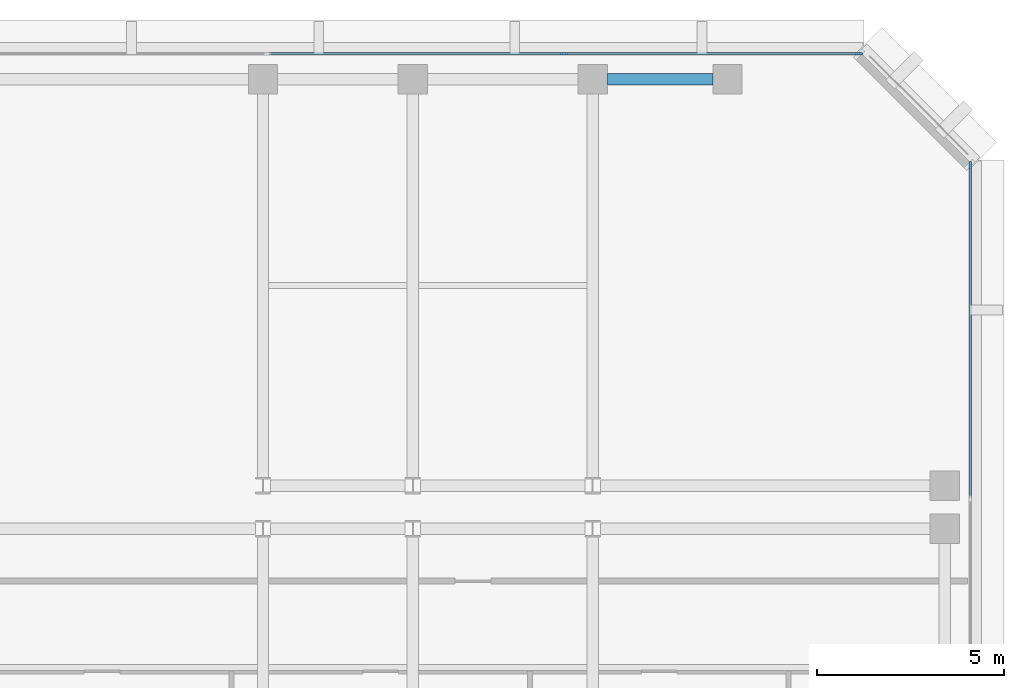
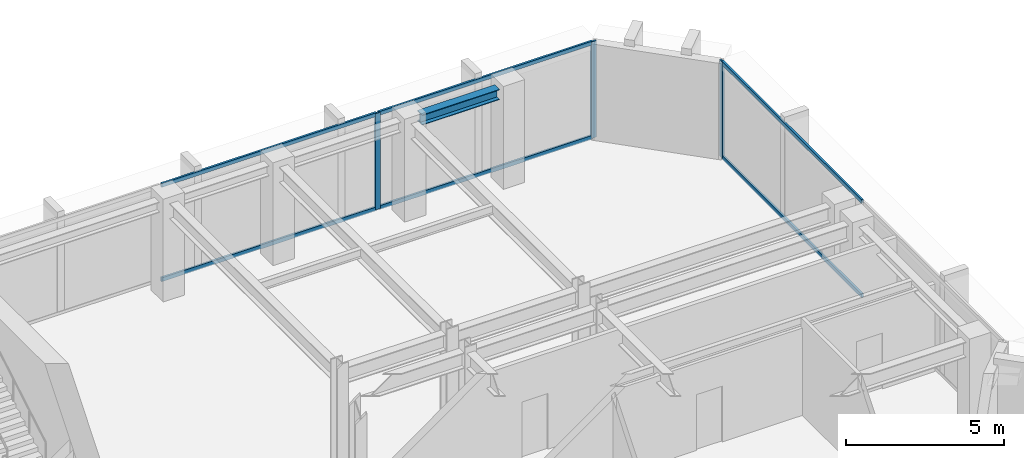
# One storey, part 5 of 12: 9 members, 1 beam, 2 elements without a shape of their own.
"""IFC4 building model written with IfcOpenShell, lengths in metres."""

import ifcopenshell
import ifcopenshell.guid

model = None  # the IFC model being written
_history = None  # IfcOwnerHistory: only IFC2X3 demands one
_inside = {}  # id of a spatial element -> (the spatial element, [elements in it])
_under = {}  # id of a project, library or spatial element -> (it, [spatial elements below it])
_declared = {}  # id of a project -> (the project, [libraries it declares])
_typed = {}  # id of a type object -> (the type object, [elements of that type])
_made_of = {}  # id of a material, layer set ... -> (it, [elements and type objects made of it])


def new_model(schema):
    """Start an empty IFC model of exactly this schema.

    Asked for "IFC4X3", IfcOpenShell would pick the latest addendum, in which some entities
    have other attributes; the version numbers below select the first issue.
    IFC2X3 requires an IfcOwnerHistory on every rooted entity: one is made here for all.
    """
    global model, _history
    if schema == "IFC4X3":
        model = ifcopenshell.file(schema_version=(4, 3, 0, 0))
    else:
        model = ifcopenshell.file(schema=schema)
    _inside.clear()
    _under.clear()
    _declared.clear()
    _typed.clear()
    _made_of.clear()
    _history = None
    if model.schema == "IFC2X3":
        org = make("IfcOrganization", Name="unknown")
        user = make(
            "IfcPersonAndOrganization",
            ThePerson=make("IfcPerson", FamilyName="unknown"),
            TheOrganization=org,
        )
        app = make(
            "IfcApplication",
            ApplicationDeveloper=org,
            Version="unknown",
            ApplicationFullName="unknown",
            ApplicationIdentifier="unknown",
        )
        _history = make(
            "IfcOwnerHistory",
            OwningUser=user,
            OwningApplication=app,
            ChangeAction="ADDED",
            CreationDate=0,
        )
    return model


def make(cls, **values):
    """One entity of the class cls with the attributes given. An attribute that is None is left unset."""
    return model.create_entity(
        cls, **{name: value for name, value in values.items() if value is not None}
    )


def rooted(cls, **values):
    """An entity with a GlobalId (a new one), such as an element, a storey or a relation."""
    return make(cls, GlobalId=ifcopenshell.guid.new(), OwnerHistory=_history, **values)


def si_unit(unit_type, name, prefix=None):
    """IfcSIUnit, for example si_unit("LENGTHUNIT", "METRE", prefix="MILLI")."""
    return make("IfcSIUnit", UnitType=unit_type, Prefix=prefix, Name=name)


def assignment(units):
    """IfcUnitAssignment: the units of a project."""
    return None if units is None else make("IfcUnitAssignment", Units=units)


def point(xyz):
    """IfcCartesianPoint."""
    return None if xyz is None else make("IfcCartesianPoint", Coordinates=xyz)


def direction(xyz):
    """IfcDirection."""
    return None if xyz is None else make("IfcDirection", DirectionRatios=xyz)


def frame(location, z_axis=None, x_axis=None):
    """IfcAxis2Placement3D, a coordinate frame: its origin and axes. An axis left out is left unset."""
    return make(
        "IfcAxis2Placement3D",
        Location=point(location),
        Axis=direction(z_axis),
        RefDirection=direction(x_axis),
    )


def frame_2d(location, x_axis=None):
    """IfcAxis2Placement2D, a coordinate frame in the plane: its origin and x axis."""
    return make(
        "IfcAxis2Placement2D", Location=point(location), RefDirection=direction(x_axis)
    )


def origin():
    """The frame at (0, 0, 0) with its axes left unset."""
    return frame((0.0, 0.0, 0.0))


def origin_2d():
    """The frame at (0, 0) in the plane with its x axis left unset."""
    return frame_2d((0.0, 0.0))


def place(relative_to, where):
    """IfcLocalPlacement: puts the frame where relative to a parent placement (None: the world)."""
    return make(
        "IfcLocalPlacement", PlacementRelTo=relative_to, RelativePlacement=where
    )


def context(
    kind, dimensions, precision=None, world=None, true_north=None, identifier=None
):
    """IfcGeometricRepresentationContext, for example the 3D "Model" context."""
    return make(
        "IfcGeometricRepresentationContext",
        ContextIdentifier=identifier,
        ContextType=kind,
        CoordinateSpaceDimension=dimensions,
        Precision=precision,
        WorldCoordinateSystem=world,
        TrueNorth=true_north,
    )


def subcontext(parent, identifier, kind, view, scale=None):
    """IfcGeometricRepresentationSubContext, for example "Body" below "Model"."""
    return make(
        "IfcGeometricRepresentationSubContext",
        ContextIdentifier=identifier,
        ContextType=kind,
        ParentContext=parent,
        TargetScale=scale,
        TargetView=view,
    )


def project(units=None, contexts=None):
    """IfcProject with its units and contexts."""
    return rooted(
        "IfcProject",
        Name="project",
        RepresentationContexts=contexts,
        UnitsInContext=assignment(units),
    )


def spatial(cls, under=None, at=None, **own):
    """A site, building, storey or space (cls), placed at a placement, below another one or the project."""
    s = rooted(cls, ObjectPlacement=at, **own)
    if under is not None:
        _under.setdefault(under.id(), (under, []))[1].append(s)
    return s


def profile(cls, at=None, kind="AREA", **sizes):
    """A parametric profile (cls). Its sizes go by their IFC names, for example OverallWidth=200.0."""
    return make(cls, ProfileType=kind, Position=at, **sizes)


def rectangle(**sizes):
    """IfcRectangleProfileDef."""
    return profile("IfcRectangleProfileDef", **sizes)


def i_section(**sizes):
    """IfcIShapeProfileDef."""
    return profile("IfcIShapeProfileDef", **sizes)


def extrude(swept, where, along, depth):
    """IfcExtrudedAreaSolid: the profile swept, set in the frame where, extruded along a direction by depth."""
    return make(
        "IfcExtrudedAreaSolid",
        SweptArea=swept,
        Position=where,
        ExtrudedDirection=direction(along),
        Depth=depth,
    )


def shape(context_of_items, identifier, shape_type, items):
    """IfcShapeRepresentation: the items that make up one representation, for example the "Body"."""
    return make(
        "IfcShapeRepresentation",
        ContextOfItems=context_of_items,
        RepresentationIdentifier=identifier,
        RepresentationType=shape_type,
        Items=items,
    )


def material(Name=None, Category=None):
    """IfcMaterial."""
    return make("IfcMaterial", Name=Name, Category=Category)


def layer(
    of_material, thickness, ventilated=None, Name=None, Category=None, Priority=None
):
    """IfcMaterialLayer: one layer of a wall or slab, of a material (None: an air gap)."""
    return make(
        "IfcMaterialLayer",
        Material=of_material,
        LayerThickness=thickness,
        IsVentilated=ventilated,
        Name=Name,
        Category=Category,
        Priority=Priority,
    )


def layer_set(layers, Name=None):
    """IfcMaterialLayerSet."""
    return make("IfcMaterialLayerSet", MaterialLayers=layers, LayerSetName=Name)


def material_profile(
    of_material, cross_section, Name=None, Category=None, Priority=None
):
    """IfcMaterialProfile: a cross section and its material."""
    return make(
        "IfcMaterialProfile",
        Name=Name,
        Material=of_material,
        Profile=cross_section,
        Priority=Priority,
        Category=Category,
    )


def profile_set(profiles, Name=None, composite=None):
    """IfcMaterialProfileSet."""
    return make(
        "IfcMaterialProfileSet",
        Name=Name,
        MaterialProfiles=profiles,
        CompositeProfile=composite,
    )


def made_of(thing, what):
    """Note that an element or type object is made of a material, layer set ...; save() writes the relation."""
    if what is not None:
        _made_of.setdefault(what.id(), (what, []))[1].append(thing)
    return thing


def type_object(cls, material=None, **own):
    """A type object (cls), such as IfcWallType, which elements share."""
    return made_of(rooted(cls, **own), material)


def element(
    cls,
    number,
    at=None,
    inside=None,
    cuts=None,
    type_object=None,
    material=None,
    context=None,
    identifier="Body",
    shape_type=None,
    held_by="IfcProductDefinitionShape",
    body=None,
    shapes=None,
    **own,
):
    """One element of the class cls, such as IfcWall. Its Tag is "e" and its number.

    at: its placement. inside: the storey or other place that contains it. cuts: it is an
    opening in that element (IfcRelVoidsElement). A single representation is given by context,
    identifier, shape_type and body (its items); several are given by shapes. held_by: the class
    of the entity that holds the representations. save() writes the other relations.
    """
    e = rooted(cls, Tag="e%d" % number, ObjectPlacement=at, **own)
    if body is not None:
        shapes = [shape(context, identifier, shape_type, body)]
    if shapes is not None:
        e.Representation = make(held_by, Representations=shapes)
    if inside is not None:
        _inside.setdefault(inside.id(), (inside, []))[1].append(e)
    if cuts is not None:
        rooted(
            "IfcRelVoidsElement", RelatingBuildingElement=cuts, RelatedOpeningElement=e
        )
    if type_object is not None:
        _typed.setdefault(type_object.id(), (type_object, []))[1].append(e)
    return made_of(e, material)


def aggregate(whole, parts):
    """IfcRelAggregates: a whole, such as a stair, and the parts it consists of."""
    return rooted("IfcRelAggregates", RelatingObject=whole, RelatedObjects=parts)


def save(model, path):
    """Write the relations noted so far, then the file.

    IfcRelAggregates (storeys below a building ...), IfcRelContainedInSpatialStructure (elements
    in a storey), IfcRelDefinesByType, IfcRelAssociatesMaterial and IfcRelDeclares: one each for
    every whole, place, type object, material and project.
    """
    for whole, parts in _under.values():
        aggregate(whole, parts)
    for where, things in _inside.values():
        rooted(
            "IfcRelContainedInSpatialStructure",
            RelatedElements=things,
            RelatingStructure=where,
        )
    for kind, things in _typed.values():
        rooted("IfcRelDefinesByType", RelatedObjects=things, RelatingType=kind)
    for what, things in _made_of.values():
        rooted("IfcRelAssociatesMaterial", RelatedObjects=things, RelatingMaterial=what)
    for by, libraries in _declared.values():
        rooted("IfcRelDeclares", RelatingContext=by, RelatedDefinitions=libraries)
    model.write(path)


model = new_model("IFC4")

# Units and contexts
model_context = context("Model", 3, precision=1e-05, world=origin(), true_north=direction((0.0, 1.0)))
body_context = subcontext(model_context, "Body", "Model", "MODEL_VIEW")
ifc_project = project(units=[si_unit("LENGTHUNIT", "METRE"), si_unit("AREAUNIT", "SQUARE_METRE"), si_unit("VOLUMEUNIT", "CUBIC_METRE"), si_unit("PLANEANGLEUNIT", "RADIAN"), si_unit("MASSUNIT", "GRAM", prefix="KILO")], contexts=[model_context])

# Site, building, storey
site_placement = place(None, origin())
site = spatial("IfcSite", under=ifc_project, at=site_placement, CompositionType="ELEMENT")
building_placement = place(site_placement, origin())
building = spatial("IfcBuilding", under=site, at=building_placement, Name="Kefirva Bronze Tower", CompositionType="ELEMENT")
storey_placement = place(building_placement, frame((0.0, 0.0, 195.360107421875)))
storey = spatial("IfcBuildingStorey", under=building, at=storey_placement, Name="L47", CompositionType="ELEMENT", Elevation=195.360107421875)

# Curtain wall, member
ifc_material_1 = material(Name="Bronze anodised aluminium", Category="aluminium")
ifc_layer = layer(ifc_material_1, 0.179931640625, Name="Bronze anodised aluminium")
ifc_layer_set = layer_set([ifc_layer], Name="Bronze anodised aluminium")
curtain_wall_type = type_object("IfcCurtainWallType", Name="Unitised Bronze Ribbon Curtain Wall Zone 3", PredefinedType="USERDEFINED", material=ifc_layer_set)
curtain_wall_1_placement = place(storey_placement, origin())
curtain_wall_1 = element("IfcCurtainWall", 1, at=curtain_wall_1_placement, inside=storey, type_object=curtain_wall_type, Name="L47 Curtain Wall 3", ObjectType="UNITISED CURTAIN WALL", PredefinedType="USERDEFINED")
ifc_material_profile_1 = material_profile(ifc_material_1, rectangle(XDim=0.074951171875, YDim=0.179931640625, at=origin_2d()), Name="ALU 75x180")
ifc_profile_set_1 = profile_set([ifc_material_profile_1], Name="Bronze anodised aluminium")
member_type_1 = type_object("IfcMemberType", Name="Bronze Mullion 75x180", PredefinedType="MULLION", material=ifc_profile_set_1)
member_1_placement = place(storey_placement, frame((50.080078125, 42.907470703125, 0.0), z_axis=(0.0, 0.0, 1.0), x_axis=(-1.0, 0.0, 0.0)))
member_1 = element("IfcMember", 2, at=member_1_placement, type_object=member_type_1, Name="CW-03 mullion 3", PredefinedType="MULLION", context=body_context, shape_type="SweptSolid", body=[
    extrude(rectangle(XDim=0.074951171875, YDim=0.179931640625, at=origin_2d()), origin(), (0.0, 0.0, 1.0), 3.7099609375),
])

# Curtain wall, members
curtain_wall_2_placement = place(storey_placement, origin())
curtain_wall_2 = element("IfcCurtainWall", 3, at=curtain_wall_2_placement, inside=storey, type_object=curtain_wall_type, Name="L47 Curtain Wall 4", ObjectType="UNITISED CURTAIN WALL", PredefinedType="USERDEFINED")
member_2_placement = place(storey_placement, frame((47.107421875, 45.8798828125, 0.0), z_axis=(0.0, 0.0, 1.0), x_axis=(0.0, -1.0, 0.0)))
member_2 = element("IfcMember", 4, at=member_2_placement, type_object=member_type_1, Name="CW-03 mullion 1", PredefinedType="MULLION", context=body_context, shape_type="SweptSolid", body=[
    extrude(rectangle(XDim=0.074951171875, YDim=0.179931640625, at=origin_2d()), origin(), (0.0, 0.0, 1.0), 3.7099609375),
])
member_3_placement = place(storey_placement, frame((39.231689453125, 45.8798828125, 0.0), z_axis=(0.0, 0.0, 1.0), x_axis=(0.0, -1.0, 0.0)))
member_3 = element("IfcMember", 5, at=member_3_placement, type_object=member_type_1, Name="CW-03 mullion 2", PredefinedType="MULLION", context=body_context, shape_type="SweptSolid", body=[
    extrude(rectangle(XDim=0.074951171875, YDim=0.179931640625, at=origin_2d()), origin(), (0.0, 0.0, 1.0), 3.7099609375),
])

# Member
ifc_material_profile_2 = material_profile(ifc_material_1, rectangle(XDim=0.074951171875, YDim=0.14990234375, at=origin_2d()), Name="ALU 75x150")
ifc_profile_set_2 = profile_set([ifc_material_profile_2], Name="Bronze anodised aluminium")
member_type_2 = type_object("IfcMemberType", Name="Bronze Transom 75x150", PredefinedType="USERDEFINED", material=ifc_profile_set_2)
member_4_placement = place(storey_placement, frame((50.080078125, 34.03759765625, 0.037353515625), z_axis=(0.0, 1.0, 0.0), x_axis=(-1.0, 0.0, 0.0)))
member_4 = element("IfcMember", 6, at=member_4_placement, type_object=member_type_2, Name="CW-03 transom 2.1", ObjectType="TRANSOM", PredefinedType="USERDEFINED", context=body_context, shape_type="SweptSolid", body=[
    extrude(rectangle(XDim=0.074951171875, YDim=0.14990234375, at=origin_2d()), origin(), (0.0, 0.0, 1.0), 8.83251953125),
])

member_5_placement = place(storey_placement, frame((50.080078125, 34.03759765625, 3.67236328125), z_axis=(0.0, 1.0, 0.0), x_axis=(-1.0, 0.0, 0.0)))
member_5 = element("IfcMember", 7, at=member_5_placement, type_object=member_type_2, Name="CW-03 transom 2.2", ObjectType="TRANSOM", PredefinedType="USERDEFINED", context=body_context, shape_type="SweptSolid", body=[
    extrude(rectangle(XDim=0.074951171875, YDim=0.14990234375, at=origin_2d()), origin(), (0.0, 0.0, 1.0), 8.83251953125),
])

aggregate(curtain_wall_1, [member_1, member_4, member_5])

member_6_placement = place(storey_placement, frame((47.070068359375, 45.8798828125, 0.037353515625), z_axis=(-1.0, 0.0, 0.0), x_axis=(0.0, -1.0, 0.0)))
member_6 = element("IfcMember", 8, at=member_6_placement, type_object=member_type_2, Name="CW-03 transom 1.1", ObjectType="TRANSOM", PredefinedType="USERDEFINED", context=body_context, shape_type="SweptSolid", body=[
    extrude(rectangle(XDim=0.074951171875, YDim=0.14990234375, at=origin_2d()), origin(), (0.0, 0.0, 1.0), 7.80078125),
])

member_7_placement = place(storey_placement, frame((47.070068359375, 45.8798828125, 3.67236328125), z_axis=(-1.0, 0.0, 0.0), x_axis=(0.0, -1.0, 0.0)))
member_7 = element("IfcMember", 9, at=member_7_placement, type_object=member_type_2, Name="CW-03 transom 1.2", ObjectType="TRANSOM", PredefinedType="USERDEFINED", context=body_context, shape_type="SweptSolid", body=[
    extrude(rectangle(XDim=0.074951171875, YDim=0.14990234375, at=origin_2d()), origin(), (0.0, 0.0, 1.0), 7.80078125),
])

member_8_placement = place(storey_placement, frame((39.194091796875, 45.8798828125, 0.037353515625), z_axis=(-1.0, 0.0, 0.0), x_axis=(0.0, -1.0, 0.0)))
member_8 = element("IfcMember", 10, at=member_8_placement, type_object=member_type_2, Name="CW-03 transom 2.1", ObjectType="TRANSOM", PredefinedType="USERDEFINED", context=body_context, shape_type="SweptSolid", body=[
    extrude(rectangle(XDim=0.074951171875, YDim=0.14990234375, at=origin_2d()), origin(), (0.0, 0.0, 1.0), 7.83837890625),
])

member_9_placement = place(storey_placement, frame((39.194091796875, 45.8798828125, 3.67236328125), z_axis=(-1.0, 0.0, 0.0), x_axis=(0.0, -1.0, 0.0)))
member_9 = element("IfcMember", 11, at=member_9_placement, type_object=member_type_2, Name="CW-03 transom 2.2", ObjectType="TRANSOM", PredefinedType="USERDEFINED", context=body_context, shape_type="SweptSolid", body=[
    extrude(rectangle(XDim=0.074951171875, YDim=0.14990234375, at=origin_2d()), origin(), (0.0, 0.0, 1.0), 7.83837890625),
])

aggregate(curtain_wall_2, [member_2, member_3, member_6, member_7, member_8, member_9])

# Beam
ifc_material_2 = material(Name="Steel S355", Category="steel")
ifc_material_profile_3 = material_profile(ifc_material_2, i_section(OverallWidth=0.300048828125, OverallDepth=0.39990234375, WebThickness=0.013427734375, FlangeThickness=0.02392578125, at=origin_2d()), Name="HEB 400")
ifc_profile_set_3 = profile_set([ifc_material_profile_3], Name="Steel S355")
beam_type = type_object("IfcBeamType", Name="Steel Spandrel HEB 400 Ext", PredefinedType="SPANDREL", material=ifc_profile_set_3)
beam_placement = place(storey_placement, frame((40.389892578125, 45.199951171875, 3.510009765625), z_axis=(1.0, 0.0, 0.0), x_axis=(0.0, 1.0, 0.0)))
element("IfcBeam", 12, at=beam_placement, inside=storey, type_object=beam_type, Name="L47 BM-L47-EW-40-452", PredefinedType="SPANDREL", context=body_context, shape_type="SweptSolid", body=[
    extrude(i_section(OverallWidth=0.300048828125, OverallDepth=0.39990234375, WebThickness=0.013427734375, FlangeThickness=0.02392578125, at=origin_2d()), origin(), (0.0, 0.0, 1.0), 2.820068359375),
])

save(model, "model.ifc")
